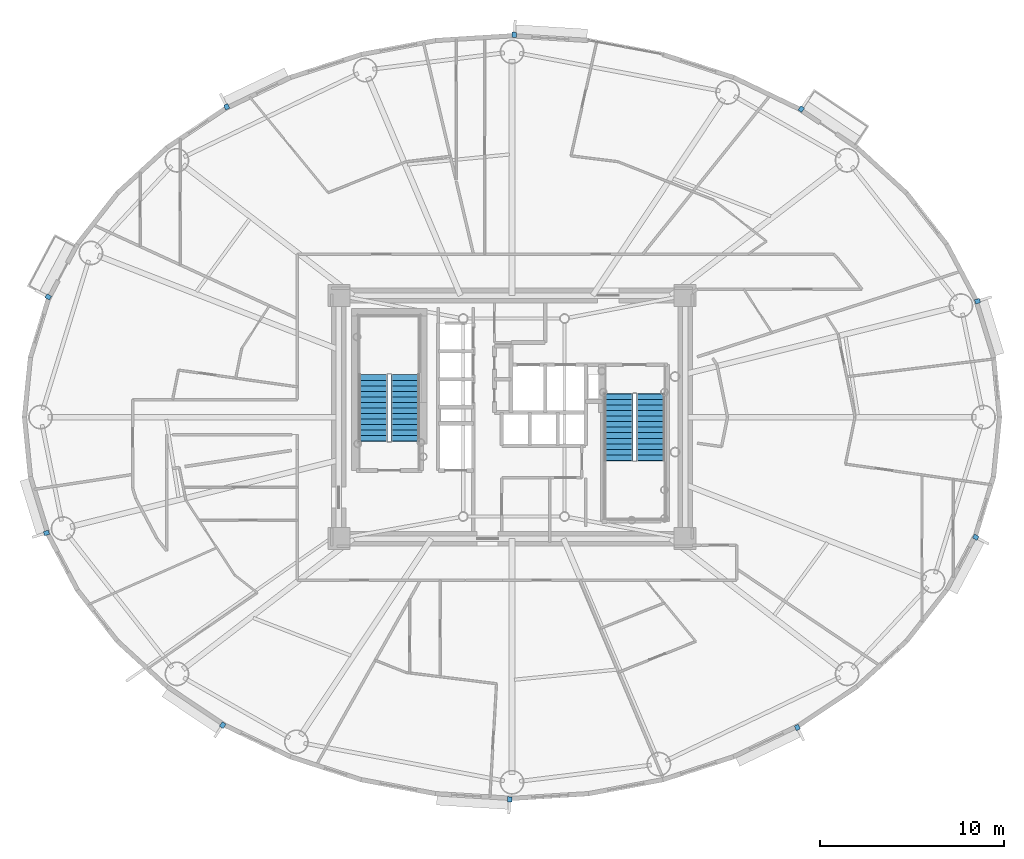
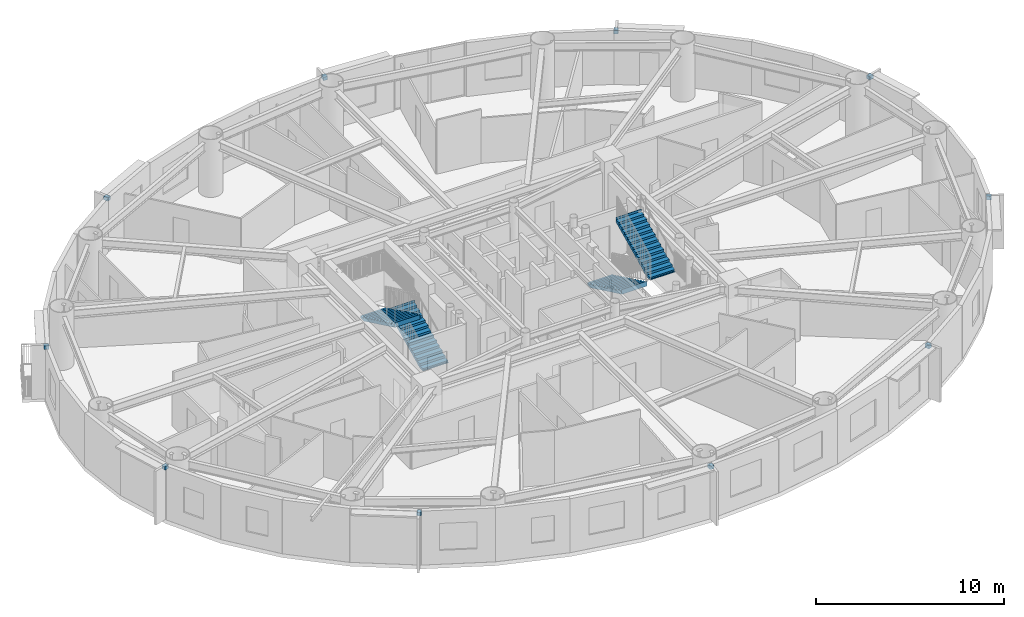
# One storey, part 13 of 20: 10 discrete accessories, 4 stair flights, 2 elements without a shape of their own.
"""IFC4 building model written with IfcOpenShell, lengths in metres."""

from ifc_helpers import new_model, si_unit, direction, frame, origin, origin_2d, place, context, subcontext, project, spatial, polyline, rectangle, outline, extrude, source, transform, mapped, material, type_object, element, aggregate, save


model = new_model("IFC4")

# Units and contexts
model_context = context("Model", 3, precision=1e-05, world=origin(), true_north=direction((0.0, 1.0)))
body_context = subcontext(model_context, "Body", "Model", "MODEL_VIEW")
ifc_project = project(units=[si_unit("LENGTHUNIT", "METRE"), si_unit("AREAUNIT", "SQUARE_METRE"), si_unit("VOLUMEUNIT", "CUBIC_METRE"), si_unit("PLANEANGLEUNIT", "RADIAN"), si_unit("MASSUNIT", "GRAM", prefix="KILO")], contexts=[model_context])

# Site, building, storey
site_placement = place(None, origin())
site = spatial("IfcSite", under=ifc_project, at=site_placement, CompositionType="ELEMENT")
building_placement = place(site_placement, origin())
building = spatial("IfcBuilding", under=site, at=building_placement, Name="Linh Dai School and Residence Tower", CompositionType="ELEMENT")
storey_placement = place(building_placement, frame((0.0, 0.0, 163.64990234375)))
storey = spatial("IfcBuildingStorey", under=building, at=storey_placement, Name="L39", CompositionType="ELEMENT", Elevation=163.64990234375)

# Stair, stair flights
ifc_material_1 = material(Name="Concrete B45 (C35/45)", Category="concrete")
stair_type = type_object("IfcStairType", Name="ST-DOG-1550-R1442", PredefinedType="HALF_TURN_STAIR", material=ifc_material_1)
stair_1_placement = place(storey_placement, origin())
stair_1 = element("IfcStair", 1, at=stair_1_placement, inside=storey, type_object=stair_type, Name="L39 Core Smokeproof Exit Stair ST1", PredefinedType="HALF_TURN_STAIR")
stair_flight_type = type_object("IfcStairFlightType", Name="STF-STR-1550-R1442", PredefinedType="STRAIGHT", material=ifc_material_1)
shared_shape_1 = source(origin(), body_context, "Body", "SweptSolid", [
    extrude(outline(polyline([(-0.02490234375, 0.0), (-0.02490234375, 0.06005859375), (0.0, 0.06005859375), (0.0, 0.144287109375), (0.300048828125, 0.144287109375), (0.300048828125, 0.28857421875), (0.60009765625, 0.28857421875), (0.60009765625, 0.4326171875), (0.89990234375, 0.4326171875), (0.89990234375, 0.576904296875), (1.199951171875, 0.576904296875), (1.199951171875, 0.72119140625), (1.5, 0.72119140625), (1.5, 0.865478515625), (1.800048828125, 0.865478515625), (1.800048828125, 1.009521484375), (2.10009765625, 1.009521484375), (2.10009765625, 1.15380859375), (2.39990234375, 1.15380859375), (2.39990234375, 1.298095703125), (2.699951171875, 1.298095703125), (2.699951171875, 1.4423828125), (3.0, 1.4423828125), (3.0, 1.58642578125), (3.300048828125, 1.58642578125), (3.300048828125, 1.730712890625), (3.60009765625, 1.730712890625), (3.60009765625, 1.875), (3.625, 1.875), (3.625, 1.564453125), (3.60009765625, 1.564453125), (0.345947265625, 0.0), (-0.02490234375, 0.0)])), frame((0.0, 0.77490234375, 0.0), z_axis=(0.0, -1.0, 0.0), x_axis=(1.0, 0.0, 0.0)), (0.0, 0.0, 1.0), 1.550048828125),
])
stair_flight_1_placement = place(storey_placement, frame((30.205078125, 25.699951171875, 0.0), z_axis=(0.0, 0.0, 1.0), x_axis=(0.0, 1.0, 0.0)))
stair_flight_1 = element("IfcStairFlight", 2, at=stair_flight_1_placement, type_object=stair_flight_type, Name="ST1 flight 1", NumberOfRisers=13, NumberOfTreads=12, PredefinedType="STRAIGHT", RiserHeight=0.144230769, TreadLength=0.3, context=body_context, shape_type="MappedRepresentation", body=[
    mapped(shared_shape_1, transform((0.0, 0.0, 0.0), x_axis=(1.0, 0.0, 0.0), y_axis=(0.0, 1.0, 0.0), z_axis=(0.0, 0.0, 1.0), scale=1.0)),
])
stair_flight_2_placement = place(storey_placement, frame((28.455078125, 29.300048828125, 1.875), z_axis=(0.0, 0.0, 1.0), x_axis=(0.0, -1.0, 0.0)))
stair_flight_2 = element("IfcStairFlight", 3, at=stair_flight_2_placement, type_object=stair_flight_type, Name="ST1 flight 2", NumberOfRisers=13, NumberOfTreads=12, PredefinedType="STRAIGHT", RiserHeight=0.144230769, TreadLength=0.3, context=body_context, shape_type="MappedRepresentation", body=[
    mapped(shared_shape_1, transform((0.0, 0.0, 0.0), x_axis=(1.0, 0.0, 0.0), y_axis=(0.0, 1.0, 0.0), z_axis=(0.0, 0.0, 1.0), scale=1.0)),
])
aggregate(stair_1, [stair_flight_1, stair_flight_2])

stair_2_placement = place(storey_placement, origin())
stair_2 = element("IfcStair", 4, at=stair_2_placement, inside=storey, type_object=stair_type, Name="L39 Core Smokeproof Exit Stair ST2", PredefinedType="HALF_TURN_STAIR")
stair_flight_3_placement = place(storey_placement, frame((41.794921875, 28.25, 0.0), z_axis=(0.0, 0.0, 1.0), x_axis=(0.0, -1.0, 0.0)))
stair_flight_3 = element("IfcStairFlight", 5, at=stair_flight_3_placement, type_object=stair_flight_type, Name="ST2 flight 1", NumberOfRisers=13, NumberOfTreads=12, PredefinedType="STRAIGHT", RiserHeight=0.144230769, TreadLength=0.3, context=body_context, shape_type="MappedRepresentation", body=[
    mapped(shared_shape_1, transform((0.0, 0.0, 0.0), x_axis=(1.0, 0.0, 0.0), y_axis=(0.0, 1.0, 0.0), z_axis=(0.0, 0.0, 1.0), scale=1.0)),
])
stair_flight_4_placement = place(storey_placement, frame((43.544921875, 24.64990234375, 1.875), z_axis=(0.0, 0.0, 1.0), x_axis=(0.0, 1.0, 0.0)))
stair_flight_4 = element("IfcStairFlight", 6, at=stair_flight_4_placement, type_object=stair_flight_type, Name="ST2 flight 2", NumberOfRisers=13, NumberOfTreads=12, PredefinedType="STRAIGHT", RiserHeight=0.144230769, TreadLength=0.3, context=body_context, shape_type="MappedRepresentation", body=[
    mapped(shared_shape_1, transform((0.0, 0.0, 0.0), x_axis=(1.0, 0.0, 0.0), y_axis=(0.0, 1.0, 0.0), z_axis=(0.0, 0.0, 1.0), scale=1.0)),
])
aggregate(stair_2, [stair_flight_3, stair_flight_4])

# Discrete accessories
ifc_material_2 = material(Name="Structural Steel S355JR", Category="steel")
discrete_accessory_type = type_object("IfcDiscreteAccessoryType", Name="ACC-BRK-S355", PredefinedType="BRACKET", material=ifc_material_2)
shared_shape_2 = source(origin(), body_context, "Body", "SweptSolid", [
    extrude(rectangle(XDim=0.280029296875, YDim=0.239990234375, at=origin_2d()), origin(), (0.0, 0.0, 1.0), 0.219970703125),
])
for number, where, z_axis, x_axis, name in (
    (7, (61.275146484375, 33.291748046875, 3.25), (0.0, 0.0, 1.0), (0.956075055167, 0.293121969301, 0.0), "L39 Facade Frame Anchor Bracket 02"),
    (8, (51.706298828125, 43.726318359375, 3.25), (0.0, 0.0, 1.0), (0.555931154932, 0.831228338651, 0.0), "L39 Facade Frame Anchor Bracket 06"),
    (9, (36.12353515625, 47.757568359375, 3.25), (0.0, 0.0, 1.0), (0.061512376467, 0.99810632076, 0.0), "L39 Facade Frame Anchor Bracket 10"),
    (10, (20.509033203125, 43.84912109375, 3.25), (0.0, 0.0, 1.0), (-0.432634701653, 0.901569306779, 0.0), "L39 Facade Frame Anchor Bracket 14"),
    (11, (10.8203125, 33.52294921875, 3.25), (0.0, 0.0, 1.0), (-0.883950726378, 0.467580060884, 0.0), "L39 Facade Frame Anchor Bracket 18"),
    (12, (10.724853515625, 20.708251953125, 3.25), (0.0, 0.0, 1.0), (-0.956075055167, -0.293121969301, 0.0), "L39 Facade Frame Anchor Bracket 22"),
    (13, (20.293701171875, 10.273681640625, 3.25), (0.0, 0.0, 1.0), (-0.555931154932, -0.831228338651, 0.0), "L39 Facade Frame Anchor Bracket 26"),
    (14, (35.87646484375, 6.242431640625, 3.25), (0.0, 0.0, 1.0), (-0.061512376467, -0.99810632076, 0.0), "L39 Facade Frame Anchor Bracket 30"),
    (15, (51.490966796875, 10.15087890625, 3.25), (0.0, 0.0, 1.0), (0.432634701653, -0.901569306779, 0.0), "L39 Facade Frame Anchor Bracket 34"),
    (16, (61.1796875, 20.47705078125, 3.25), (0.0, 0.0, 1.0), (0.883950726378, -0.467580060884, 0.0), "L39 Facade Frame Anchor Bracket 38"),
):
    element("IfcDiscreteAccessory", number, at=place(storey_placement, frame(where, z_axis=z_axis, x_axis=x_axis)), inside=storey, type_object=discrete_accessory_type, Name=name, PredefinedType="BRACKET", context=body_context, shape_type="MappedRepresentation", body=[
        mapped(shared_shape_2, transform((0.0, 0.0, 0.0), x_axis=(1.0, 0.0, 0.0), y_axis=(0.0, 1.0, 0.0), z_axis=(0.0, 0.0, 1.0), scale=1.0)),
    ])

save(model, "model.ifc")
